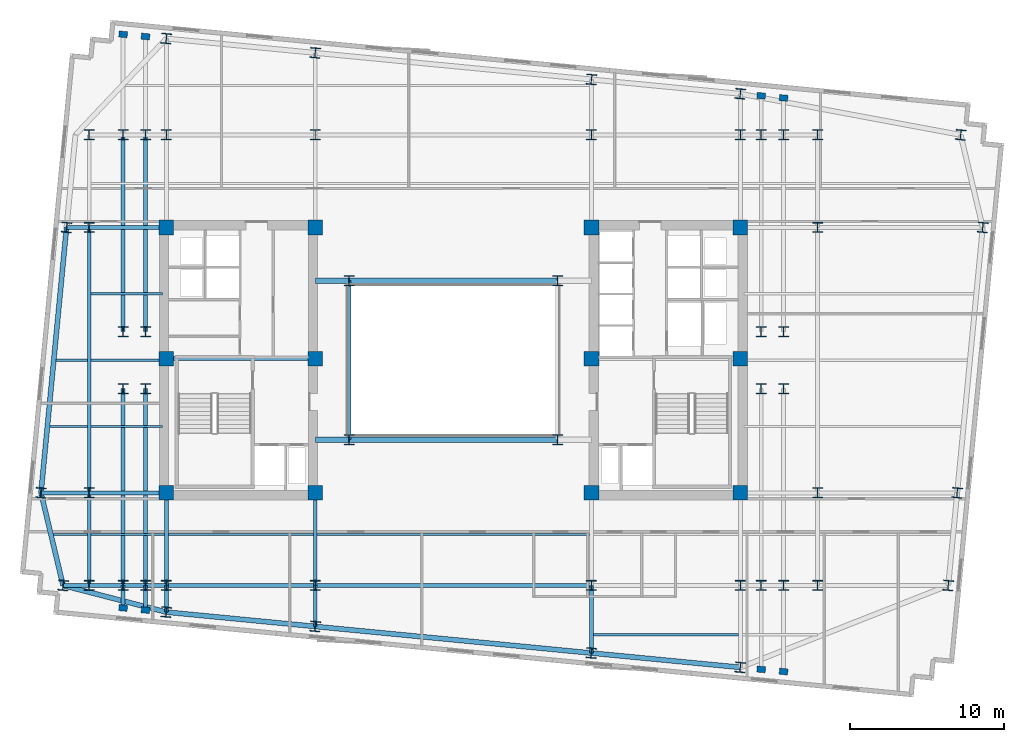
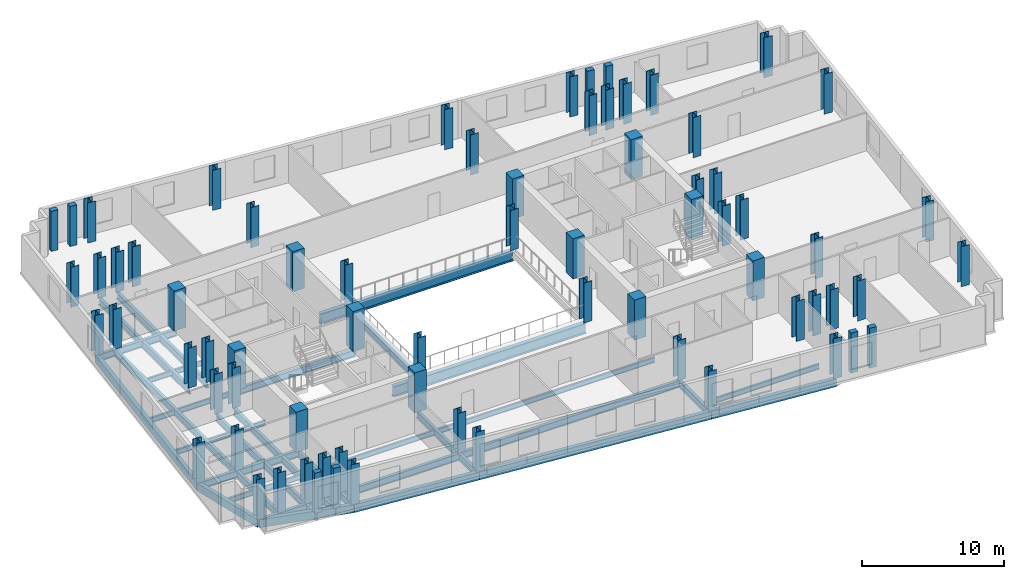
# One storey, part 1 of 9: 71 columns, 43 beams.
"""IFC4 building model written with IfcOpenShell, lengths in metres."""

from ifc_helpers import new_model, si_unit, direction, frame, origin, origin_2d, place, context, subcontext, project, spatial, rectangle, i_section, extrude, material, material_profile, profile_set, type_object, element, save


model = new_model("IFC4")

# Units and contexts
model_context = context("Model", 3, precision=1e-05, world=origin(), true_north=direction((0.0, 1.0)))
body_context = subcontext(model_context, "Body", "Model", "MODEL_VIEW")
ifc_project = project(units=[si_unit("LENGTHUNIT", "METRE"), si_unit("AREAUNIT", "SQUARE_METRE"), si_unit("VOLUMEUNIT", "CUBIC_METRE"), si_unit("PLANEANGLEUNIT", "RADIAN"), si_unit("MASSUNIT", "GRAM", prefix="KILO")], contexts=[model_context])

# Site, building, storey
site_placement = place(None, origin())
site = spatial("IfcSite", under=ifc_project, at=site_placement, CompositionType="ELEMENT")
building_placement = place(site_placement, origin())
building = spatial("IfcBuilding", under=site, at=building_placement, Name="Velakula Bourse", CompositionType="ELEMENT")
storey_placement = place(building_placement, frame((0.0, 0.0, 170.75)))
storey = spatial("IfcBuildingStorey", under=building, at=storey_placement, Name="L46", CompositionType="ELEMENT", Elevation=170.75)

# Columns
ifc_material_1 = material(Name="Concrete M70 (fck 70 MPa)", Category="concrete")
ifc_material_profile_1 = material_profile(ifc_material_1, rectangle(XDim=0.949951171875, YDim=0.949951171875, at=origin_2d()), Name="Concrete M70 (fck 70 MPa)")
ifc_profile_set_1 = profile_set([ifc_material_profile_1], Name="Concrete M70 (fck 70 MPa)")
column_type_1 = type_object("IfcColumnType", Name="COL-RC-950", PredefinedType="COLUMN", material=ifc_profile_set_1)
for number, where, z_axis, x_axis, name in (
    (1, (-8.949951171875, -8.60009765625, 0.0), (0.0, 0.0, 1.0), (1.0, 0.0, 0.0), "L46 Core Boundary Column 01"),
    (2, (-8.949951171875, 0.10009765625, 0.0), (0.0, 0.0, 1.0), (1.0, 0.0, 0.0), "L46 Core Boundary Column 02"),
    (3, (-8.949951171875, 8.60009765625, 0.0), (0.0, 0.0, 1.0), (1.0, 0.0, 0.0), "L46 Core Boundary Column 03"),
    (4, (-18.60009765625, -8.60009765625, 0.0), (0.0, 0.0, 1.0), (1.0, 0.0, 0.0), "L46 Core Boundary Column 04"),
    (5, (-18.60009765625, 0.10009765625, 0.0), (0.0, 0.0, 1.0), (1.0, 0.0, 0.0), "L46 Core Boundary Column 05"),
    (6, (-18.60009765625, 8.60009765625, 0.0), (0.0, 0.0, 1.0), (1.0, 0.0, 0.0), "L46 Core Boundary Column 06"),
    (7, (8.949951171875, -8.60009765625, 0.0), (0.0, 0.0, 1.0), (1.0, 0.0, 0.0), "L46 Core Boundary Column 07"),
    (8, (8.949951171875, 0.10009765625, 0.0), (0.0, 0.0, 1.0), (1.0, 0.0, 0.0), "L46 Core Boundary Column 08"),
    (9, (8.949951171875, 8.60009765625, 0.0), (0.0, 0.0, 1.0), (1.0, 0.0, 0.0), "L46 Core Boundary Column 09"),
    (10, (18.60009765625, -8.60009765625, 0.0), (0.0, 0.0, 1.0), (1.0, 0.0, 0.0), "L46 Core Boundary Column 10"),
    (11, (18.60009765625, 0.10009765625, 0.0), (0.0, 0.0, 1.0), (1.0, 0.0, 0.0), "L46 Core Boundary Column 11"),
    (12, (18.60009765625, 8.60009765625, 0.0), (0.0, 0.0, 1.0), (1.0, 0.0, 0.0), "L46 Core Boundary Column 12"),
):
    element("IfcColumn", number, at=place(storey_placement, frame(where, z_axis=z_axis, x_axis=x_axis)), inside=storey, type_object=column_type_1, Name=name, PredefinedType="COLUMN", context=body_context, shape_type="SweptSolid", body=[
        extrude(rectangle(XDim=0.949951171875, YDim=0.949951171875, at=origin_2d()), origin(), (0.0, 0.0, 1.0), 3.449951171875),
    ])
ifc_material_2 = material(Name="Steel IS 2062 Grade 350 (E350)", Category="steel")
ifc_material_profile_2 = material_profile(ifc_material_2, i_section(OverallWidth=0.64990234375, OverallDepth=0.64990234375, WebThickness=0.028076171875, FlangeThickness=0.0400390625, at=origin_2d()), Name="Steel IS 2062 Grade 350 (E350)")
ifc_profile_set_2 = profile_set([ifc_material_profile_2], Name="Steel IS 2062 Grade 350 (E350)")
column_type_2 = type_object("IfcColumnType", Name="COL-STL-650", PredefinedType="COLUMN", material=ifc_profile_set_2)
for number, where, z_axis, x_axis, name in (
    (13, (-6.75, -5.14990234375, 0.0), (0.0, 0.0, 1.0), (1.0, 0.0, 0.0), "L46 Central Spine Column 01"),
    (14, (-6.75, 5.14990234375, 0.0), (0.0, 0.0, 1.0), (1.0, 0.0, 0.0), "L46 Central Spine Column 02"),
    (15, (6.75, -5.14990234375, 0.0), (0.0, 0.0, 1.0), (1.0, 0.0, 0.0), "L46 Central Spine Column 03"),
    (16, (6.75, 5.14990234375, 0.0), (0.0, 0.0, 1.0), (1.0, 0.0, 0.0), "L46 Central Spine Column 04"),
    (17, (-21.39990234375, -14.60009765625, 0.0), (0.0, 0.0, 1.0), (1.0, 0.0, 0.0), "L46 Tower Fulcrum Column 01"),
    (18, (-21.39990234375, 14.60009765625, 0.0), (0.0, 0.0, 1.0), (1.0, 0.0, 0.0), "L46 Tower Fulcrum Column 02"),
    (19, (-19.949951171875, -14.60009765625, 0.0), (0.0, 0.0, 1.0), (1.0, 0.0, 0.0), "L46 Tower Fulcrum Column 03"),
    (20, (-19.949951171875, 14.60009765625, 0.0), (0.0, 0.0, 1.0), (1.0, 0.0, 0.0), "L46 Tower Fulcrum Column 04"),
    (21, (-18.60009765625, -14.60009765625, 0.0), (0.0, 0.0, 1.0), (1.0, 0.0, 0.0), "L46 Tower Fulcrum Column 05"),
    (22, (-18.60009765625, 14.60009765625, 0.0), (0.0, 0.0, 1.0), (1.0, 0.0, 0.0), "L46 Tower Fulcrum Column 06"),
    (23, (-8.949951171875, -14.60009765625, 0.0), (0.0, 0.0, 1.0), (1.0, 0.0, 0.0), "L46 Tower Fulcrum Column 07"),
    (24, (-8.949951171875, 14.60009765625, 0.0), (0.0, 0.0, 1.0), (1.0, 0.0, 0.0), "L46 Tower Fulcrum Column 08"),
    (25, (8.949951171875, -14.60009765625, 0.0), (0.0, 0.0, 1.0), (1.0, 0.0, 0.0), "L46 Tower Fulcrum Column 09"),
    (26, (8.949951171875, 14.60009765625, 0.0), (0.0, 0.0, 1.0), (1.0, 0.0, 0.0), "L46 Tower Fulcrum Column 10"),
    (27, (18.60009765625, -14.60009765625, 0.0), (0.0, 0.0, 1.0), (1.0, 0.0, 0.0), "L46 Tower Fulcrum Column 11"),
    (28, (18.60009765625, 14.60009765625, 0.0), (0.0, 0.0, 1.0), (1.0, 0.0, 0.0), "L46 Tower Fulcrum Column 12"),
    (29, (19.949951171875, -14.60009765625, 0.0), (0.0, 0.0, 1.0), (1.0, 0.0, 0.0), "L46 Tower Fulcrum Column 13"),
    (30, (19.949951171875, 14.60009765625, 0.0), (0.0, 0.0, 1.0), (1.0, 0.0, 0.0), "L46 Tower Fulcrum Column 14"),
    (31, (21.39990234375, -14.60009765625, 0.0), (0.0, 0.0, 1.0), (1.0, 0.0, 0.0), "L46 Tower Fulcrum Column 15"),
    (32, (21.39990234375, 14.60009765625, 0.0), (0.0, 0.0, 1.0), (1.0, 0.0, 0.0), "L46 Tower Fulcrum Column 16"),
    (33, (-21.39990234375, -1.85009765625, 0.0), (0.0, 0.0, 1.0), (1.0, 0.0, 0.0), "L46 Tower Fulcrum Column 17"),
    (34, (-21.39990234375, 1.85009765625, 0.0), (0.0, 0.0, 1.0), (1.0, 0.0, 0.0), "L46 Tower Fulcrum Column 18"),
    (35, (-19.949951171875, -1.85009765625, 0.0), (0.0, 0.0, 1.0), (1.0, 0.0, 0.0), "L46 Tower Fulcrum Column 19"),
    (36, (-19.949951171875, 1.85009765625, 0.0), (0.0, 0.0, 1.0), (1.0, 0.0, 0.0), "L46 Tower Fulcrum Column 20"),
    (37, (19.949951171875, -1.85009765625, 0.0), (0.0, 0.0, 1.0), (1.0, 0.0, 0.0), "L46 Tower Fulcrum Column 21"),
    (38, (19.949951171875, 1.85009765625, 0.0), (0.0, 0.0, 1.0), (1.0, 0.0, 0.0), "L46 Tower Fulcrum Column 22"),
    (39, (21.39990234375, -1.85009765625, 0.0), (0.0, 0.0, 1.0), (1.0, 0.0, 0.0), "L46 Tower Fulcrum Column 23"),
    (40, (21.39990234375, 1.85009765625, 0.0), (0.0, 0.0, 1.0), (1.0, 0.0, 0.0), "L46 Tower Fulcrum Column 24"),
    (41, (-23.60009765625, -14.60009765625, 0.0), (0.0, 0.0, 1.0), (1.0, 0.0, 0.0), "L46 Mid-Wing Plumb Column 01"),
    (42, (-23.60009765625, -8.60009765625, 0.0), (0.0, 0.0, 1.0), (1.0, 0.0, 0.0), "L46 Mid-Wing Plumb Column 02"),
    (43, (-23.60009765625, 8.60009765625, 0.0), (0.0, 0.0, 1.0), (1.0, 0.0, 0.0), "L46 Mid-Wing Plumb Column 03"),
    (44, (-23.60009765625, 14.60009765625, 0.0), (0.0, 0.0, 1.0), (1.0, 0.0, 0.0), "L46 Mid-Wing Plumb Column 04"),
    (45, (23.60009765625, -14.60009765625, 0.0), (0.0, 0.0, 1.0), (1.0, 0.0, 0.0), "L46 Mid-Wing Plumb Column 05"),
    (46, (23.60009765625, -8.60009765625, 0.0), (0.0, 0.0, 1.0), (1.0, 0.0, 0.0), "L46 Mid-Wing Plumb Column 06"),
    (47, (23.60009765625, 8.60009765625, 0.0), (0.0, 0.0, 1.0), (1.0, 0.0, 0.0), "L46 Mid-Wing Plumb Column 07"),
    (48, (23.60009765625, 14.60009765625, 0.0), (0.0, 0.0, 1.0), (1.0, 0.0, 0.0), "L46 Mid-Wing Plumb Column 08"),
    (49, (-18.60009765625, -16.32861328125, 0.0), (0.0, 0.0, 1.0), (0.995396198367, -0.09584575252, 0.0), "L46 Block B4 Perimeter Column S1"),
    (50, (-8.949951171875, -17.2578125, 0.0), (0.0, 0.0, 1.0), (0.995396198367, -0.09584575252, 0.0), "L46 Block B4 Perimeter Column S2"),
    (51, (8.949951171875, -18.9814453125, 0.0), (0.0, 0.0, 1.0), (0.995396198367, -0.09584575252, 0.0), "L46 Block B4 Perimeter Column S3"),
    (52, (18.60009765625, -19.91064453125, 0.0), (0.0, 0.0, 1.0), (0.995396198367, -0.09584575252, 0.0), "L46 Block B4 Perimeter Column S4"),
    (53, (-18.60009765625, 20.84228515625, 0.0), (0.0, 0.0, 1.0), (0.995396198367, -0.09584575252, 0.0), "L46 Block B4 Perimeter Column N1"),
    (54, (-8.949951171875, 19.9130859375, 0.0), (0.0, 0.0, 1.0), (0.995396198367, -0.09584575252, 0.0), "L46 Block B4 Perimeter Column N2"),
    (55, (8.949951171875, 18.189697265625, 0.0), (0.0, 0.0, 1.0), (0.995396198367, -0.09584575252, 0.0), "L46 Block B4 Perimeter Column N3"),
    (56, (18.60009765625, 17.260498046875, 0.0), (0.0, 0.0, 1.0), (0.995396198367, -0.09584575252, 0.0), "L46 Block B4 Perimeter Column N4"),
    (57, (-25.29296875, -14.60009765625, 0.0), (0.0, 0.0, 1.0), (0.995396198367, -0.09584575252, 0.0), "L46 Block B4 Perimeter Column W1"),
    (58, (-26.724365234375, -8.60009765625, 0.0), (0.0, 0.0, 1.0), (0.995396198367, -0.09584575252, 0.0), "L46 Block B4 Perimeter Column W2"),
    (59, (-25.068115234375, 8.60009765625, 0.0), (0.0, 0.0, 1.0), (0.995396198367, -0.09584575252, 0.0), "L46 Block B4 Perimeter Column W3"),
    (60, (32.0712890625, -14.60009765625, 0.0), (0.0, 0.0, 1.0), (0.995396198367, -0.09584575252, 0.0), "L46 Block B4 Perimeter Column E1"),
    (61, (32.64892578125, -8.60009765625, 0.0), (0.0, 0.0, 1.0), (0.995396198367, -0.09584575252, 0.0), "L46 Block B4 Perimeter Column E2"),
    (62, (34.30517578125, 8.60009765625, 0.0), (0.0, 0.0, 1.0), (0.995396198367, -0.09584575252, 0.0), "L46 Block B4 Perimeter Column E3"),
    (63, (32.87353515625, 14.60009765625, 0.0), (0.0, 0.0, 1.0), (0.995396198367, -0.09584575252, 0.0), "L46 Block B4 Perimeter Column E4"),
):
    element("IfcColumn", number, at=place(storey_placement, frame(where, z_axis=z_axis, x_axis=x_axis)), inside=storey, type_object=column_type_2, Name=name, PredefinedType="COLUMN", context=body_context, shape_type="SweptSolid", body=[
        extrude(i_section(OverallWidth=0.64990234375, OverallDepth=0.64990234375, WebThickness=0.028076171875, FlangeThickness=0.0400390625, at=origin_2d()), origin(), (0.0, 0.0, 1.0), 3.449951171875),
    ])
ifc_material_3 = material(Name="Precast concrete M45 (fck 45 MPa)", Category="concrete")
ifc_material_profile_3 = material_profile(ifc_material_3, rectangle(XDim=0.550048828125, YDim=0.39990234375, at=origin_2d()), Name="Precast concrete M45 (fck 45 MPa)")
ifc_profile_set_3 = profile_set([ifc_material_profile_3], Name="Precast concrete M45 (fck 45 MPa)")
column_type_3 = type_object("IfcColumnType", Name="PIL-BRICK-550", PredefinedType="PILASTER", material=ifc_profile_set_3)
for number, where, z_axis, x_axis, name in (
    (64, (-21.39990234375, -16.05908203125, 0.0), (0.0, 0.0, 1.0), (0.995396198367, -0.09584575252, 0.0), "L46 Brick Pier Pilaster 01"),
    (65, (-19.949951171875, -16.19873046875, 0.0), (0.0, 0.0, 1.0), (0.995396198367, -0.09584575252, 0.0), "L46 Brick Pier Pilaster 02"),
    (66, (19.949951171875, -20.04052734375, 0.0), (0.0, 0.0, 1.0), (0.995396198367, -0.09584575252, 0.0), "L46 Brick Pier Pilaster 03"),
    (67, (21.39990234375, -20.180419921875, 0.0), (0.0, 0.0, 1.0), (0.995396198367, -0.09584575252, 0.0), "L46 Brick Pier Pilaster 04"),
    (68, (-21.39990234375, 21.112060546875, 0.0), (0.0, 0.0, 1.0), (0.995396198367, -0.09584575252, 0.0), "L46 Brick Pier Pilaster 05"),
    (69, (-19.949951171875, 20.972412109375, 0.0), (0.0, 0.0, 1.0), (0.995396198367, -0.09584575252, 0.0), "L46 Brick Pier Pilaster 06"),
    (70, (19.949951171875, 17.130615234375, 0.0), (0.0, 0.0, 1.0), (0.995396198367, -0.09584575252, 0.0), "L46 Brick Pier Pilaster 07"),
    (71, (21.39990234375, 16.990966796875, 0.0), (0.0, 0.0, 1.0), (0.995396198367, -0.09584575252, 0.0), "L46 Brick Pier Pilaster 08"),
):
    element("IfcColumn", number, at=place(storey_placement, frame(where, z_axis=z_axis, x_axis=x_axis)), inside=storey, type_object=column_type_3, Name=name, PredefinedType="PILASTER", context=body_context, shape_type="SweptSolid", body=[
        extrude(rectangle(XDim=0.550048828125, YDim=0.39990234375, at=origin_2d()), origin(), (0.0, 0.0, 1.0), 3.449951171875),
    ])

# Beams
ifc_material_profile_4 = material_profile(ifc_material_2, i_section(OverallWidth=0.25, OverallDepth=0.60009765625, WebThickness=0.01123046875, FlangeThickness=0.021240234375, at=origin_2d()), Name="Steel IS 2062 Grade 350 (E350)")
ifc_profile_set_4 = profile_set([ifc_material_profile_4], Name="Steel IS 2062 Grade 350 (E350)")
beam_type_1 = type_object("IfcBeamType", Name="BM-GRD-600M", PredefinedType="BEAM", material=ifc_profile_set_4)
beam_1_placement = place(storey_placement, frame((-18.60009765625, 0.10009765625, -0.47998046875), z_axis=(1.0, 0.0, 0.0), x_axis=(0.0, 1.0, 0.0)))
element("IfcBeam", 72, at=beam_1_placement, inside=storey, type_object=beam_type_1, Name="L46 Primary Backbone Girder CRW-M", PredefinedType="BEAM", context=body_context, shape_type="SweptSolid", body=[
    extrude(i_section(OverallWidth=0.25, OverallDepth=0.60009765625, WebThickness=0.01123046875, FlangeThickness=0.021240234375, at=origin_2d()), origin(), (0.0, 0.0, 1.0), 9.650146484375),
])
beam_2_placement = place(storey_placement, frame((-6.75, -5.14990234375, -0.47998046875), z_axis=(0.0, 1.0, 0.0), x_axis=(-1.0, 0.0, 0.0)))
element("IfcBeam", 73, at=beam_2_placement, inside=storey, type_object=beam_type_1, Name="L46 Primary Backbone Girder SPN-W", PredefinedType="BEAM", context=body_context, shape_type="SweptSolid", body=[
    extrude(i_section(OverallWidth=0.25, OverallDepth=0.60009765625, WebThickness=0.01123046875, FlangeThickness=0.021240234375, at=origin_2d()), origin(), (0.0, 0.0, 1.0), 10.2998046875),
])
for number, where, z_axis, x_axis, name in (
    (74, (-18.60009765625, -14.60009765625, -0.47998046875), (0.0, 1.0, 0.0), (-1.0, 0.0, 0.0), "L46 Fulcrum Grid Girder FLC-WS"),
    (75, (-8.949951171875, -14.60009765625, -0.47998046875), (0.0, 1.0, 0.0), (-1.0, 0.0, 0.0), "L46 Fulcrum Grid Girder FLC-WCS"),
):
    element("IfcBeam", number, at=place(storey_placement, frame(where, z_axis=z_axis, x_axis=x_axis)), inside=storey, type_object=beam_type_1, Name=name, PredefinedType="BEAM", context=body_context, shape_type="SweptSolid", body=[
        extrude(i_section(OverallWidth=0.25, OverallDepth=0.60009765625, WebThickness=0.01123046875, FlangeThickness=0.021240234375, at=origin_2d()), origin(), (0.0, 0.0, 1.0), 6.0),
    ])
beam_3_placement = place(storey_placement, frame((-18.60009765625, -14.60009765625, -0.47998046875), z_axis=(1.0, 0.0, 0.0), x_axis=(0.0, 1.0, 0.0)))
element("IfcBeam", 76, at=beam_3_placement, inside=storey, type_object=beam_type_1, Name="L46 Fulcrum Grid Girder FLC-S1", PredefinedType="BEAM", context=body_context, shape_type="SweptSolid", body=[
    extrude(i_section(OverallWidth=0.25, OverallDepth=0.60009765625, WebThickness=0.01123046875, FlangeThickness=0.021240234375, at=origin_2d()), origin(), (0.0, 0.0, 1.0), 9.650146484375),
])
beam_4_placement = place(storey_placement, frame((-8.949951171875, -14.60009765625, -0.47998046875), z_axis=(1.0, 0.0, 0.0), x_axis=(0.0, 1.0, 0.0)))
element("IfcBeam", 77, at=beam_4_placement, inside=storey, type_object=beam_type_1, Name="L46 Fulcrum Grid Girder FLC-S2", PredefinedType="BEAM", context=body_context, shape_type="SweptSolid", body=[
    extrude(i_section(OverallWidth=0.25, OverallDepth=0.60009765625, WebThickness=0.01123046875, FlangeThickness=0.021240234375, at=origin_2d()), origin(), (0.0, 0.0, 1.0), 17.89990234375),
])
for number, where, z_axis, x_axis, name in (
    (78, (-21.39990234375, -14.60009765625, -0.47998046875), (0.0, 1.0, 0.0), (-1.0, 0.0, 0.0), "L46 Fulcrum Grid Girder FLC-PSW1"),
    (79, (-21.39990234375, 1.85009765625, -0.47998046875), (0.0, 1.0, 0.0), (-1.0, 0.0, 0.0), "L46 Fulcrum Grid Girder FLC-PNW1"),
    (80, (-19.949951171875, -14.60009765625, -0.47998046875), (0.0, 1.0, 0.0), (-1.0, 0.0, 0.0), "L46 Fulcrum Grid Girder FLC-PSW2"),
    (81, (-19.949951171875, 1.85009765625, -0.47998046875), (0.0, 1.0, 0.0), (-1.0, 0.0, 0.0), "L46 Fulcrum Grid Girder FLC-PNW2"),
):
    element("IfcBeam", number, at=place(storey_placement, frame(where, z_axis=z_axis, x_axis=x_axis)), inside=storey, type_object=beam_type_1, Name=name, PredefinedType="BEAM", context=body_context, shape_type="SweptSolid", body=[
        extrude(i_section(OverallWidth=0.25, OverallDepth=0.60009765625, WebThickness=0.01123046875, FlangeThickness=0.021240234375, at=origin_2d()), origin(), (0.0, 0.0, 1.0), 12.75),
    ])
for number, where, z_axis, x_axis, name in (
    (82, (-23.60009765625, -14.60009765625, -0.47998046875), (1.0, 0.0, 0.0), (0.0, 1.0, 0.0), "L46 Fulcrum Grid Girder MWG-WS1"),
    (83, (-23.60009765625, -8.60009765625, -0.47998046875), (1.0, 0.0, 0.0), (0.0, 1.0, 0.0), "L46 Fulcrum Grid Girder MWG-WS2"),
    (84, (-23.60009765625, 8.60009765625, -0.47998046875), (1.0, 0.0, 0.0), (0.0, 1.0, 0.0), "L46 Fulcrum Grid Girder MWG-WN1"),
):
    element("IfcBeam", number, at=place(storey_placement, frame(where, z_axis=z_axis, x_axis=x_axis)), inside=storey, type_object=beam_type_1, Name=name, PredefinedType="BEAM", context=body_context, shape_type="SweptSolid", body=[
        extrude(i_section(OverallWidth=0.25, OverallDepth=0.60009765625, WebThickness=0.01123046875, FlangeThickness=0.021240234375, at=origin_2d()), origin(), (0.0, 0.0, 1.0), 5.0),
    ])
beam_5_placement = place(storey_placement, frame((-23.60009765625, -14.60009765625, -0.47998046875), z_axis=(0.0, 1.0, 0.0), x_axis=(-1.0, 0.0, 0.0)))
element("IfcBeam", 85, at=beam_5_placement, inside=storey, type_object=beam_type_1, Name="L46 Fulcrum Grid Girder MWG-WNS1", PredefinedType="BEAM", context=body_context, shape_type="SweptSolid", body=[
    extrude(i_section(OverallWidth=0.25, OverallDepth=0.60009765625, WebThickness=0.01123046875, FlangeThickness=0.021240234375, at=origin_2d()), origin(), (0.0, 0.0, 1.0), 6.0),
])
beam_6_placement = place(storey_placement, frame((-23.60009765625, -8.60009765625, -0.47998046875), z_axis=(0.0, 1.0, 0.0), x_axis=(-1.0, 0.0, 0.0)))
element("IfcBeam", 86, at=beam_6_placement, inside=storey, type_object=beam_type_1, Name="L46 Fulcrum Grid Girder MWG-WNS2", PredefinedType="BEAM", context=body_context, shape_type="SweptSolid", body=[
    extrude(i_section(OverallWidth=0.25, OverallDepth=0.60009765625, WebThickness=0.01123046875, FlangeThickness=0.021240234375, at=origin_2d()), origin(), (0.0, 0.0, 1.0), 17.2001953125),
])
beam_7_placement = place(storey_placement, frame((-18.60009765625, -14.60009765625, -0.47998046875), z_axis=(0.0, -1.0, 0.0), x_axis=(1.0, 0.0, 0.0)))
element("IfcBeam", 87, at=beam_7_placement, inside=storey, type_object=beam_type_1, Name="L46 Perimeter Tie Girder S1", PredefinedType="BEAM", context=body_context, shape_type="SweptSolid", body=[
    extrude(i_section(OverallWidth=0.25, OverallDepth=0.60009765625, WebThickness=0.01123046875, FlangeThickness=0.021240234375, at=origin_2d()), origin(), (0.0, 0.0, 1.0), 1.728515625),
])
beam_8_placement = place(storey_placement, frame((-8.949951171875, -14.60009765625, -0.47998046875), z_axis=(0.0, -1.0, 0.0), x_axis=(1.0, 0.0, 0.0)))
element("IfcBeam", 88, at=beam_8_placement, inside=storey, type_object=beam_type_1, Name="L46 Perimeter Tie Girder S2", PredefinedType="BEAM", context=body_context, shape_type="SweptSolid", body=[
    extrude(i_section(OverallWidth=0.25, OverallDepth=0.60009765625, WebThickness=0.01123046875, FlangeThickness=0.021240234375, at=origin_2d()), origin(), (0.0, 0.0, 1.0), 2.65771484375),
])
beam_9_placement = place(storey_placement, frame((8.949951171875, -14.60009765625, -0.47998046875), z_axis=(0.0, -1.0, 0.0), x_axis=(1.0, 0.0, 0.0)))
element("IfcBeam", 89, at=beam_9_placement, inside=storey, type_object=beam_type_1, Name="L46 Perimeter Tie Girder S3", PredefinedType="BEAM", context=body_context, shape_type="SweptSolid", body=[
    extrude(i_section(OverallWidth=0.25, OverallDepth=0.60009765625, WebThickness=0.01123046875, FlangeThickness=0.021240234375, at=origin_2d()), origin(), (0.0, 0.0, 1.0), 4.38134765625),
])
beam_10_placement = place(storey_placement, frame((-23.60009765625, -14.60009765625, -0.47998046875), z_axis=(-1.0, 0.0, 0.0), x_axis=(0.0, -1.0, 0.0)))
element("IfcBeam", 90, at=beam_10_placement, inside=storey, type_object=beam_type_1, Name="L46 Perimeter Tie Girder W1", PredefinedType="BEAM", context=body_context, shape_type="SweptSolid", body=[
    extrude(i_section(OverallWidth=0.25, OverallDepth=0.60009765625, WebThickness=0.01123046875, FlangeThickness=0.021240234375, at=origin_2d()), origin(), (0.0, 0.0, 1.0), 1.69287109375),
])
beam_11_placement = place(storey_placement, frame((-23.60009765625, -8.60009765625, -0.47998046875), z_axis=(-1.0, 0.0, 0.0), x_axis=(0.0, -1.0, 0.0)))
element("IfcBeam", 91, at=beam_11_placement, inside=storey, type_object=beam_type_1, Name="L46 Perimeter Tie Girder W2", PredefinedType="BEAM", context=body_context, shape_type="SweptSolid", body=[
    extrude(i_section(OverallWidth=0.25, OverallDepth=0.60009765625, WebThickness=0.01123046875, FlangeThickness=0.021240234375, at=origin_2d()), origin(), (0.0, 0.0, 1.0), 3.124267578125),
])
beam_12_placement = place(storey_placement, frame((-23.60009765625, 8.60009765625, -0.47998046875), z_axis=(-1.0, 0.0, 0.0), x_axis=(0.0, -1.0, 0.0)))
element("IfcBeam", 92, at=beam_12_placement, inside=storey, type_object=beam_type_1, Name="L46 Perimeter Tie Girder W3", PredefinedType="BEAM", context=body_context, shape_type="SweptSolid", body=[
    extrude(i_section(OverallWidth=0.25, OverallDepth=0.60009765625, WebThickness=0.01123046875, FlangeThickness=0.021240234375, at=origin_2d()), origin(), (0.0, 0.0, 1.0), 1.468017578125),
])
beam_13_placement = place(storey_placement, frame((-21.39990234375, -14.60009765625, -0.47998046875), z_axis=(0.0, -1.0, 0.0), x_axis=(1.0, 0.0, 0.0)))
element("IfcBeam", 93, at=beam_13_placement, inside=storey, type_object=beam_type_1, Name="L46 Perimeter Tie Girder P01", PredefinedType="BEAM", context=body_context, shape_type="SweptSolid", body=[
    extrude(i_section(OverallWidth=0.25, OverallDepth=0.60009765625, WebThickness=0.01123046875, FlangeThickness=0.021240234375, at=origin_2d()), origin(), (0.0, 0.0, 1.0), 1.458984375),
])
beam_14_placement = place(storey_placement, frame((-19.949951171875, -14.60009765625, -0.47998046875), z_axis=(0.0, -1.0, 0.0), x_axis=(1.0, 0.0, 0.0)))
element("IfcBeam", 94, at=beam_14_placement, inside=storey, type_object=beam_type_1, Name="L46 Perimeter Tie Girder P02", PredefinedType="BEAM", context=body_context, shape_type="SweptSolid", body=[
    extrude(i_section(OverallWidth=0.25, OverallDepth=0.60009765625, WebThickness=0.01123046875, FlangeThickness=0.021240234375, at=origin_2d()), origin(), (0.0, 0.0, 1.0), 1.5986328125),
])
ifc_material_profile_5 = material_profile(ifc_material_2, i_section(OverallWidth=0.35009765625, OverallDepth=0.89990234375, WebThickness=0.02001953125, FlangeThickness=0.031982421875, at=origin_2d()), Name="Steel IS 2062 Grade 350 (E350)")
ifc_profile_set_5 = profile_set([ifc_material_profile_5], Name="Steel IS 2062 Grade 350 (E350)")
beam_type_2 = type_object("IfcBeamType", Name="BM-LNK-900", PredefinedType="BEAM", material=ifc_profile_set_5)
beam_15_placement = place(storey_placement, frame((-8.949951171875, -5.14990234375, -0.6298828125), z_axis=(1.0, 0.0, 0.0), x_axis=(0.0, 1.0, 0.0)))
element("IfcBeam", 95, at=beam_15_placement, inside=storey, type_object=beam_type_2, Name="L46 Primary Backbone Girder LNK-S1", PredefinedType="BEAM", context=body_context, shape_type="SweptSolid", body=[
    extrude(i_section(OverallWidth=0.35009765625, OverallDepth=0.89990234375, WebThickness=0.02001953125, FlangeThickness=0.031982421875, at=origin_2d()), origin(), (0.0, 0.0, 1.0), 2.199951171875),
])
beam_16_placement = place(storey_placement, frame((-6.75, -5.14990234375, -0.6298828125), z_axis=(1.0, 0.0, 0.0), x_axis=(0.0, 1.0, 0.0)))
element("IfcBeam", 96, at=beam_16_placement, inside=storey, type_object=beam_type_2, Name="L46 Primary Backbone Girder LNK-S2", PredefinedType="BEAM", context=body_context, shape_type="SweptSolid", body=[
    extrude(i_section(OverallWidth=0.35009765625, OverallDepth=0.89990234375, WebThickness=0.02001953125, FlangeThickness=0.031982421875, at=origin_2d()), origin(), (0.0, 0.0, 1.0), 13.5),
])
beam_17_placement = place(storey_placement, frame((-8.949951171875, 5.14990234375, -0.6298828125), z_axis=(1.0, 0.0, 0.0), x_axis=(0.0, 1.0, 0.0)))
element("IfcBeam", 97, at=beam_17_placement, inside=storey, type_object=beam_type_2, Name="L46 Primary Backbone Girder LNK-N1", PredefinedType="BEAM", context=body_context, shape_type="SweptSolid", body=[
    extrude(i_section(OverallWidth=0.35009765625, OverallDepth=0.89990234375, WebThickness=0.02001953125, FlangeThickness=0.031982421875, at=origin_2d()), origin(), (0.0, 0.0, 1.0), 2.199951171875),
])
beam_18_placement = place(storey_placement, frame((-6.75, 5.14990234375, -0.6298828125), z_axis=(1.0, 0.0, 0.0), x_axis=(0.0, 1.0, 0.0)))
element("IfcBeam", 98, at=beam_18_placement, inside=storey, type_object=beam_type_2, Name="L46 Primary Backbone Girder LNK-N2", PredefinedType="BEAM", context=body_context, shape_type="SweptSolid", body=[
    extrude(i_section(OverallWidth=0.35009765625, OverallDepth=0.89990234375, WebThickness=0.02001953125, FlangeThickness=0.031982421875, at=origin_2d()), origin(), (0.0, 0.0, 1.0), 13.5),
])
ifc_material_profile_6 = material_profile(ifc_material_2, i_section(OverallWidth=0.14990234375, OverallDepth=0.449951171875, WebThickness=0.009521484375, FlangeThickness=0.017333984375, at=origin_2d()), Name="Steel IS 2062 Grade 350 (E350)")
ifc_profile_set_6 = profile_set([ifc_material_profile_6], Name="Steel IS 2062 Grade 350 (E350)")
beam_type_3 = type_object("IfcBeamType", Name="JST-TWR-450", PredefinedType="JOIST", material=ifc_profile_set_6)
beam_19_placement = place(storey_placement, frame((9.074951171875, -17.800048828125, -0.405029296875), z_axis=(1.0, 0.0, 0.0), x_axis=(0.0, 1.0, 0.0)))
element("IfcBeam", 99, at=beam_19_placement, inside=storey, type_object=beam_type_3, Name="L46 Trading Floor Composite Joist 02", PredefinedType="JOIST", context=body_context, shape_type="SweptSolid", body=[
    extrude(i_section(OverallWidth=0.14990234375, OverallDepth=0.449951171875, WebThickness=0.009521484375, FlangeThickness=0.017333984375, at=origin_2d()), origin(), (0.0, 0.0, 1.0), 9.400146484375),
])
beam_20_placement = place(storey_placement, frame((-25.915771484375, -11.300048828125, -0.405029296875), z_axis=(1.0, 0.0, 0.0), x_axis=(0.0, 1.0, 0.0)))
element("IfcBeam", 100, at=beam_20_placement, inside=storey, type_object=beam_type_3, Name="L46 Trading Floor Composite Joist 04", PredefinedType="JOIST", context=body_context, shape_type="SweptSolid", body=[
    extrude(i_section(OverallWidth=0.14990234375, OverallDepth=0.449951171875, WebThickness=0.009521484375, FlangeThickness=0.017333984375, at=origin_2d()), origin(), (0.0, 0.0, 1.0), 2.190673828125),
])
beam_21_placement = place(storey_placement, frame((-23.47509765625, -11.300048828125, -0.405029296875), z_axis=(1.0, 0.0, 0.0), x_axis=(0.0, 1.0, 0.0)))
element("IfcBeam", 101, at=beam_21_placement, inside=storey, type_object=beam_type_3, Name="L46 Trading Floor Composite Joist 05", PredefinedType="JOIST", context=body_context, shape_type="SweptSolid", body=[
    extrude(i_section(OverallWidth=0.14990234375, OverallDepth=0.449951171875, WebThickness=0.009521484375, FlangeThickness=0.017333984375, at=origin_2d()), origin(), (0.0, 0.0, 1.0), 4.75),
])
beam_22_placement = place(storey_placement, frame((-18.47509765625, -11.300048828125, -0.405029296875), z_axis=(1.0, 0.0, 0.0), x_axis=(0.0, 1.0, 0.0)))
element("IfcBeam", 102, at=beam_22_placement, inside=storey, type_object=beam_type_3, Name="L46 Trading Floor Composite Joist 06", PredefinedType="JOIST", context=body_context, shape_type="SweptSolid", body=[
    extrude(i_section(OverallWidth=0.14990234375, OverallDepth=0.449951171875, WebThickness=0.009521484375, FlangeThickness=0.017333984375, at=origin_2d()), origin(), (0.0, 0.0, 1.0), 9.400146484375),
])
beam_23_placement = place(storey_placement, frame((-8.824951171875, -11.300048828125, -0.405029296875), z_axis=(1.0, 0.0, 0.0), x_axis=(0.0, 1.0, 0.0)))
element("IfcBeam", 103, at=beam_23_placement, inside=storey, type_object=beam_type_3, Name="L46 Trading Floor Composite Joist 07", PredefinedType="JOIST", context=body_context, shape_type="SweptSolid", body=[
    extrude(i_section(OverallWidth=0.14990234375, OverallDepth=0.449951171875, WebThickness=0.009521484375, FlangeThickness=0.017333984375, at=origin_2d()), origin(), (0.0, 0.0, 1.0), 17.64990234375),
])
beam_24_placement = place(storey_placement, frame((-26.149658203125, -4.300048828125, -0.405029296875), z_axis=(1.0, 0.0, 0.0), x_axis=(0.0, 1.0, 0.0)))
element("IfcBeam", 104, at=beam_24_placement, inside=storey, type_object=beam_type_3, Name="L46 Trading Floor Composite Joist 21", PredefinedType="JOIST", context=body_context, shape_type="SweptSolid", body=[
    extrude(i_section(OverallWidth=0.14990234375, OverallDepth=0.449951171875, WebThickness=0.009521484375, FlangeThickness=0.017333984375, at=origin_2d()), origin(), (0.0, 0.0, 1.0), 2.424560546875),
])
beam_25_placement = place(storey_placement, frame((-23.47509765625, -4.300048828125, -0.405029296875), z_axis=(1.0, 0.0, 0.0), x_axis=(0.0, 1.0, 0.0)))
element("IfcBeam", 105, at=beam_25_placement, inside=storey, type_object=beam_type_3, Name="L46 Trading Floor Composite Joist 22", PredefinedType="JOIST", context=body_context, shape_type="SweptSolid", body=[
    extrude(i_section(OverallWidth=0.14990234375, OverallDepth=0.449951171875, WebThickness=0.009521484375, FlangeThickness=0.017333984375, at=origin_2d()), origin(), (0.0, 0.0, 1.0), 4.625),
])
beam_26_placement = place(storey_placement, frame((-25.735595703125, 0.0, -0.405029296875), z_axis=(1.0, 0.0, 0.0), x_axis=(0.0, 1.0, 0.0)))
element("IfcBeam", 106, at=beam_26_placement, inside=storey, type_object=beam_type_3, Name="L46 Trading Floor Composite Joist 25", PredefinedType="JOIST", context=body_context, shape_type="SweptSolid", body=[
    extrude(i_section(OverallWidth=0.14990234375, OverallDepth=0.449951171875, WebThickness=0.009521484375, FlangeThickness=0.017333984375, at=origin_2d()), origin(), (0.0, 0.0, 1.0), 2.010498046875),
])
for number, where, z_axis, x_axis, name in (
    (107, (-23.47509765625, 0.0, -0.405029296875), (1.0, 0.0, 0.0), (0.0, 1.0, 0.0), "L46 Trading Floor Composite Joist 26"),
    (108, (-23.47509765625, 4.300048828125, -0.405029296875), (1.0, 0.0, 0.0), (0.0, 1.0, 0.0), "L46 Trading Floor Composite Joist 29"),
):
    element("IfcBeam", number, at=place(storey_placement, frame(where, z_axis=z_axis, x_axis=x_axis)), inside=storey, type_object=beam_type_3, Name=name, PredefinedType="JOIST", context=body_context, shape_type="SweptSolid", body=[
        extrude(i_section(OverallWidth=0.14990234375, OverallDepth=0.449951171875, WebThickness=0.009521484375, FlangeThickness=0.017333984375, at=origin_2d()), origin(), (0.0, 0.0, 1.0), 4.625),
    ])
ifc_material_profile_7 = material_profile(ifc_material_3, rectangle(XDim=0.320068359375, YDim=0.679931640625, at=origin_2d()), Name="Precast concrete M45 (fck 45 MPa)")
ifc_profile_set_7 = profile_set([ifc_material_profile_7], Name="Precast concrete M45 (fck 45 MPa)")
beam_type_4 = type_object("IfcBeamType", Name="SPN-BRICK-680", PredefinedType="SPANDREL", material=ifc_profile_set_7)
beam_27_placement = place(storey_placement, frame((-18.60009765625, -16.32861328125, -0.52001953125), z_axis=(0.99539623971, -0.095845323155, 0.0), x_axis=(0.095845323155, 0.99539623971, 0.0)))
element("IfcBeam", 109, at=beam_27_placement, inside=storey, type_object=beam_type_4, Name="L46 Brick-Faced Precast Spandrel S1-S2", PredefinedType="SPANDREL", context=body_context, shape_type="SweptSolid", body=[
    extrude(rectangle(XDim=0.320068359375, YDim=0.679931640625, at=origin_2d()), origin(), (0.0, 0.0, 1.0), 9.69482421875),
])
beam_28_placement = place(storey_placement, frame((-8.949951171875, -17.2578125, -0.52001953125), z_axis=(0.995395836254, -0.095849513134, 0.0), x_axis=(0.095849513134, 0.995395836254, 0.0)))
element("IfcBeam", 110, at=beam_28_placement, inside=storey, type_object=beam_type_4, Name="L46 Brick-Faced Precast Spandrel S2-S3", PredefinedType="SPANDREL", context=body_context, shape_type="SweptSolid", body=[
    extrude(rectangle(XDim=0.320068359375, YDim=0.679931640625, at=origin_2d()), origin(), (0.0, 0.0, 1.0), 17.982666015625),
])
beam_29_placement = place(storey_placement, frame((8.949951171875, -18.9814453125, -0.52001953125), z_axis=(0.99539623971, -0.095845323155, 0.0), x_axis=(0.095845323155, 0.99539623971, 0.0)))
element("IfcBeam", 111, at=beam_29_placement, inside=storey, type_object=beam_type_4, Name="L46 Brick-Faced Precast Spandrel S3-S4", PredefinedType="SPANDREL", context=body_context, shape_type="SweptSolid", body=[
    extrude(rectangle(XDim=0.320068359375, YDim=0.679931640625, at=origin_2d()), origin(), (0.0, 0.0, 1.0), 9.69482421875),
])
beam_30_placement = place(storey_placement, frame((-25.29296875, -14.60009765625, -0.52001953125), z_axis=(-0.232053924044, 0.97270292296, 0.0), x_axis=(-0.97270292296, -0.232053924044, 0.0)))
element("IfcBeam", 112, at=beam_30_placement, inside=storey, type_object=beam_type_4, Name="L46 Brick-Faced Precast Spandrel W1-W2", PredefinedType="SPANDREL", context=body_context, shape_type="SweptSolid", body=[
    extrude(rectangle(XDim=0.320068359375, YDim=0.679931640625, at=origin_2d()), origin(), (0.0, 0.0, 1.0), 6.16845703125),
])
beam_31_placement = place(storey_placement, frame((-26.724365234375, -8.60009765625, -0.52001953125), z_axis=(0.095849167925, 0.995395869495, 0.0), x_axis=(-0.995395869495, 0.095849167925, 0.0)))
element("IfcBeam", 113, at=beam_31_placement, inside=storey, type_object=beam_type_4, Name="L46 Brick-Faced Precast Spandrel W2-W3", PredefinedType="SPANDREL", context=body_context, shape_type="SweptSolid", body=[
    extrude(rectangle(XDim=0.320068359375, YDim=0.679931640625, at=origin_2d()), origin(), (0.0, 0.0, 1.0), 17.27978515625),
])
beam_32_placement = place(storey_placement, frame((-25.29296875, -14.60009765625, -0.52001953125), z_axis=(0.968230996313, -0.250057468954, 0.0), x_axis=(0.250057468954, 0.968230996313, 0.0)))
element("IfcBeam", 114, at=beam_32_placement, inside=storey, type_object=beam_type_4, Name="L46 Brick-Faced Precast Spandrel W1-S1", PredefinedType="SPANDREL", context=body_context, shape_type="SweptSolid", body=[
    extrude(rectangle(XDim=0.320068359375, YDim=0.679931640625, at=origin_2d()), origin(), (0.0, 0.0, 1.0), 6.912353515625),
])

save(model, "model.ifc")
